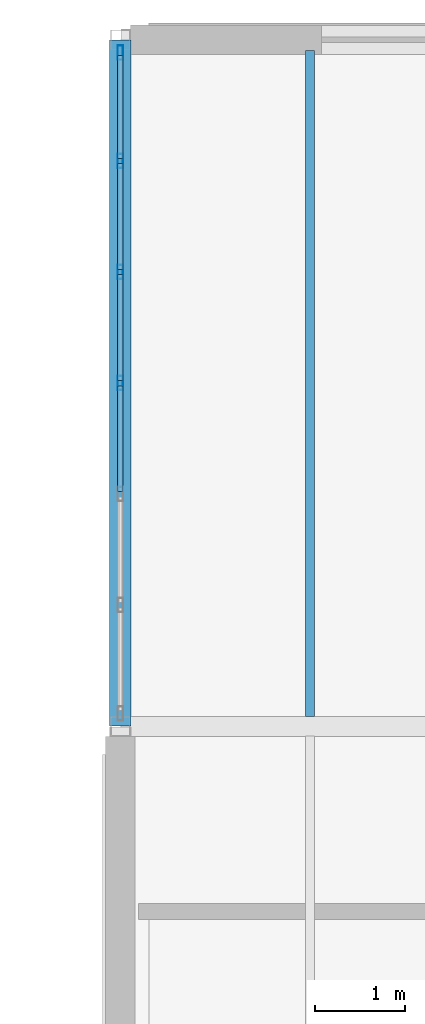
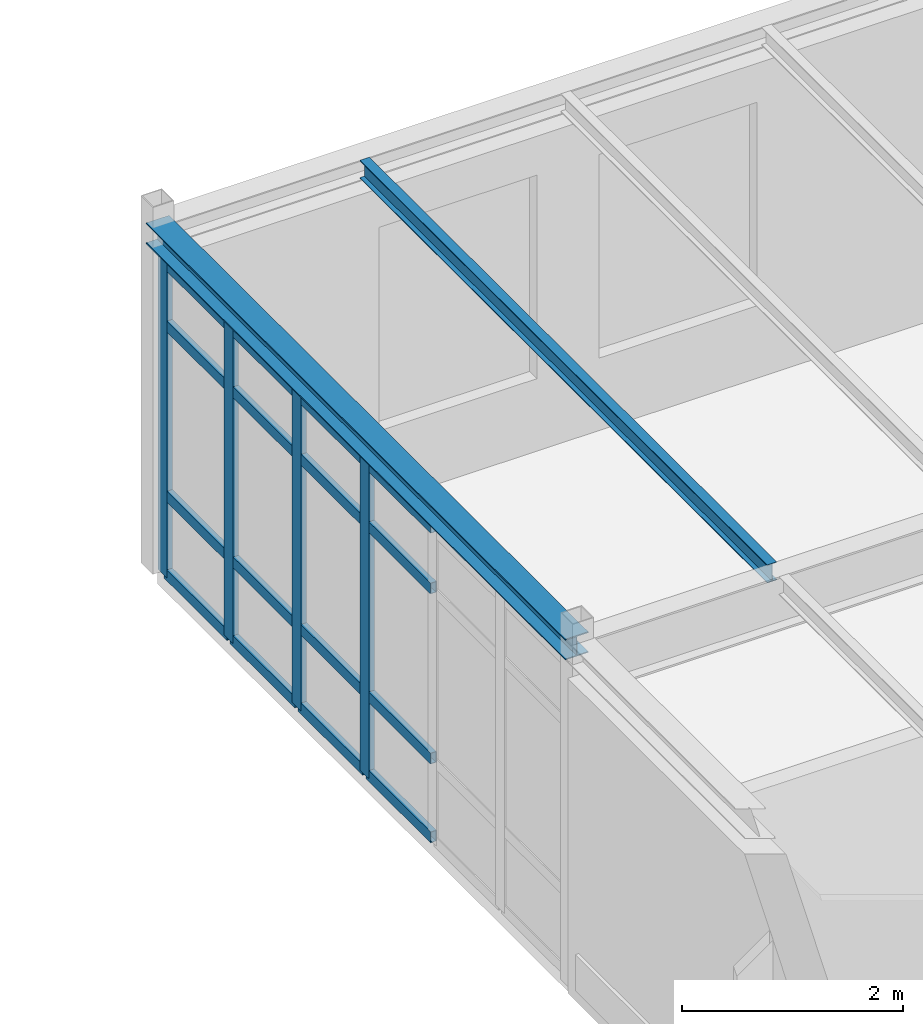
# One storey, part 44 of 114: 20 members, 2 beams, 1 element without a shape of its own.
"""IFC4 building model written with IfcOpenShell, lengths in metres."""

from ifc_helpers import new_model, si_unit, direction, frame, origin, origin_2d, place, context, subcontext, project, spatial, hollow_rectangle, i_section, extrude, material, layer, layer_set, material_profile, profile_set, type_object, element, aggregate, save


model = new_model("IFC4")

# Units and contexts
model_context = context("Model", 3, precision=1e-05, world=origin(), true_north=direction((0.0, 1.0)))
body_context = subcontext(model_context, "Body", "Model", "MODEL_VIEW")
ifc_project = project(units=[si_unit("LENGTHUNIT", "METRE"), si_unit("AREAUNIT", "SQUARE_METRE"), si_unit("VOLUMEUNIT", "CUBIC_METRE"), si_unit("PLANEANGLEUNIT", "RADIAN"), si_unit("MASSUNIT", "GRAM", prefix="KILO")], contexts=[model_context])

# Site, building, storey
site_placement = place(None, origin())
site = spatial("IfcSite", under=ifc_project, at=site_placement, CompositionType="ELEMENT")
building_placement = place(site_placement, origin())
building = spatial("IfcBuilding", under=site, at=building_placement, Name="Montecoro Central Library", CompositionType="ELEMENT")
storey_placement = place(building_placement, frame((0.0, 0.0, 13.260009765625)))
storey = spatial("IfcBuildingStorey", under=building, at=storey_placement, Name="L03", CompositionType="ELEMENT", Elevation=13.260009765625)

# Beams
ifc_material_1 = material(Name="Steel S355", Category="steel")
ifc_material_profile_1 = material_profile(ifc_material_1, i_section(OverallWidth=0.10009765625, OverallDepth=0.199951171875, WebThickness=0.005615234375, FlangeThickness=0.008544921875, at=origin_2d()), Name="IPE 200")
ifc_profile_set_1 = profile_set([ifc_material_profile_1], Name="Steel S355")
beam_type_1 = type_object("IfcBeamType", Name="BM-J-IPE200", PredefinedType="JOIST", material=ifc_profile_set_1)
beam_1_placement = place(storey_placement, frame((68.5, 111.507080078125, 3.72509765625), z_axis=(0.0, 1.0, 0.0), x_axis=(-1.0, 0.0, 0.0)))
element("IfcBeam", 1, at=beam_1_placement, inside=storey, type_object=beam_type_1, Name="V2-L03-JS-910-QR-1", PredefinedType="JOIST", context=body_context, shape_type="SweptSolid", body=[
    extrude(i_section(OverallWidth=0.10009765625, OverallDepth=0.199951171875, WebThickness=0.005615234375, FlangeThickness=0.008544921875, at=origin_2d()), origin(), (0.0, 0.0, 1.0), 7.3759765625),
])
ifc_material_profile_2 = material_profile(ifc_material_1, i_section(OverallWidth=0.239990234375, OverallDepth=0.22998046875, WebThickness=0.007568359375, FlangeThickness=0.011962890625, at=origin_2d()), Name="HEA 240")
ifc_profile_set_2 = profile_set([ifc_material_profile_2], Name="Steel S355")
beam_type_2 = type_object("IfcBeamType", Name="BM-SP-HEA240", PredefinedType="SPANDREL", material=ifc_profile_set_2)
beam_2_placement = place(storey_placement, frame((66.39990234375, 111.405029296875, 3.7099609375), z_axis=(0.0, 1.0, 0.0), x_axis=(-1.0, 0.0, 0.0)))
element("IfcBeam", 2, at=beam_2_placement, inside=storey, type_object=beam_type_2, Name="V2-L03-BY-9-QR", PredefinedType="SPANDREL", context=body_context, shape_type="SweptSolid", body=[
    extrude(i_section(OverallWidth=0.239990234375, OverallDepth=0.22998046875, WebThickness=0.007568359375, FlangeThickness=0.011962890625, at=origin_2d()), origin(), (0.0, 0.0, 1.0), 7.590087890625),
])

# Curtain wall, members
ifc_material_2 = material(Name="Bronze-anodised aluminium and low-E glazing", Category="aluminium")
ifc_layer = layer(ifc_material_2, 0.159912109375)
ifc_layer_set = layer_set([ifc_layer], Name="Bronze-anodised aluminium and low-E glazing")
curtain_wall_type = type_object("IfcCurtainWallType", Name="CWT-020", PredefinedType="NOTDEFINED", material=ifc_layer_set)
curtain_wall_placement = place(storey_placement, origin())
curtain_wall = element("IfcCurtainWall", 3, at=curtain_wall_placement, inside=storey, type_object=curtain_wall_type, Name="V2-L03-CW-W3", PredefinedType="NOTDEFINED")
ifc_material_3 = material(Name="Bronze-anodised aluminium", Category="aluminium")
ifc_material_profile_3 = material_profile(ifc_material_3, hollow_rectangle(XDim=0.06005859375, YDim=0.159912109375, WallThickness=0.00390625, at=origin_2d()), Name="CWM 160x60x4.0")
ifc_profile_set_3 = profile_set([ifc_material_profile_3], Name="Bronze-anodised aluminium")
member_type_1 = type_object("IfcMemberType", Name="CWM-BRZ-60", PredefinedType="MULLION", material=ifc_profile_set_3)
member_1_placement = place(storey_placement, frame((66.39990234375, 118.85693359375, 0.0), z_axis=(0.0, 0.0, 1.0), x_axis=(1.0, 0.0, 0.0)))
member_1 = element("IfcMember", 4, at=member_1_placement, type_object=member_type_1, Name="CW-020 mullion 1", PredefinedType="MULLION", context=body_context, shape_type="SweptSolid", body=[
    extrude(hollow_rectangle(XDim=0.06005859375, YDim=0.159912109375, WallThickness=0.00390625, at=origin_2d()), origin(), (0.0, 0.0, 1.0), 3.47998046875),
])
member_2_placement = place(storey_placement, frame((66.39990234375, 117.657958984375, 0.0), z_axis=(0.0, 0.0, 1.0), x_axis=(1.0, 0.0, 0.0)))
member_2 = element("IfcMember", 5, at=member_2_placement, type_object=member_type_1, Name="CW-020 mullion 2", PredefinedType="MULLION", context=body_context, shape_type="SweptSolid", body=[
    extrude(hollow_rectangle(XDim=0.06005859375, YDim=0.159912109375, WallThickness=0.00390625, at=origin_2d()), origin(), (0.0, 0.0, 1.0), 3.47998046875),
])
member_3_placement = place(storey_placement, frame((66.39990234375, 116.428955078125, 0.0), z_axis=(0.0, 0.0, 1.0), x_axis=(1.0, 0.0, 0.0)))
member_3 = element("IfcMember", 6, at=member_3_placement, type_object=member_type_1, Name="CW-020 mullion 3", PredefinedType="MULLION", context=body_context, shape_type="SweptSolid", body=[
    extrude(hollow_rectangle(XDim=0.06005859375, YDim=0.159912109375, WallThickness=0.00390625, at=origin_2d()), origin(), (0.0, 0.0, 1.0), 3.47998046875),
])
member_4_placement = place(storey_placement, frame((66.39990234375, 115.199951171875, 0.0), z_axis=(0.0, 0.0, 1.0), x_axis=(1.0, 0.0, 0.0)))
member_4 = element("IfcMember", 7, at=member_4_placement, type_object=member_type_1, Name="CW-020 mullion 4", PredefinedType="MULLION", context=body_context, shape_type="SweptSolid", body=[
    extrude(hollow_rectangle(XDim=0.06005859375, YDim=0.159912109375, WallThickness=0.00390625, at=origin_2d()), origin(), (0.0, 0.0, 1.0), 3.47998046875),
])
ifc_material_profile_4 = material_profile(ifc_material_3, hollow_rectangle(XDim=0.06005859375, YDim=0.1201171875, WallThickness=0.00390625, at=origin_2d()), Name="CWT 120x60x4.0")
ifc_profile_set_4 = profile_set([ifc_material_profile_4], Name="Bronze-anodised aluminium")
member_type_2 = type_object("IfcMemberType", Name="CWT-BRZ-60", PredefinedType="USERDEFINED", material=ifc_profile_set_4)
member_5_placement = place(storey_placement, frame((66.39990234375, 118.826904296875, 0.030029296875), z_axis=(0.0, -1.0, 0.0), x_axis=(1.0, 0.0, 0.0)))
member_5 = element("IfcMember", 8, at=member_5_placement, type_object=member_type_2, Name="CW-020 transom 1.1", ObjectType="TRANSOM", PredefinedType="USERDEFINED", context=body_context, shape_type="SweptSolid", body=[
    extrude(hollow_rectangle(XDim=0.06005859375, YDim=0.1201171875, WallThickness=0.00390625, at=origin_2d()), origin(), (0.0, 0.0, 1.0), 1.138916015625),
])
member_6_placement = place(storey_placement, frame((66.39990234375, 118.826904296875, 0.89990234375), z_axis=(0.0, -1.0, 0.0), x_axis=(1.0, 0.0, 0.0)))
member_6 = element("IfcMember", 9, at=member_6_placement, type_object=member_type_2, Name="CW-020 transom 1.2", ObjectType="TRANSOM", PredefinedType="USERDEFINED", context=body_context, shape_type="SweptSolid", body=[
    extrude(hollow_rectangle(XDim=0.06005859375, YDim=0.1201171875, WallThickness=0.00390625, at=origin_2d()), origin(), (0.0, 0.0, 1.0), 1.138916015625),
])
member_7_placement = place(storey_placement, frame((66.39990234375, 118.826904296875, 2.780029296875), z_axis=(0.0, -1.0, 0.0), x_axis=(1.0, 0.0, 0.0)))
member_7 = element("IfcMember", 10, at=member_7_placement, type_object=member_type_2, Name="CW-020 transom 1.3", ObjectType="TRANSOM", PredefinedType="USERDEFINED", context=body_context, shape_type="SweptSolid", body=[
    extrude(hollow_rectangle(XDim=0.06005859375, YDim=0.1201171875, WallThickness=0.00390625, at=origin_2d()), origin(), (0.0, 0.0, 1.0), 1.138916015625),
])
member_8_placement = place(storey_placement, frame((66.39990234375, 118.826904296875, 3.449951171875), z_axis=(0.0, -1.0, 0.0), x_axis=(1.0, 0.0, 0.0)))
member_8 = element("IfcMember", 11, at=member_8_placement, type_object=member_type_2, Name="CW-020 transom 1.4", ObjectType="TRANSOM", PredefinedType="USERDEFINED", context=body_context, shape_type="SweptSolid", body=[
    extrude(hollow_rectangle(XDim=0.06005859375, YDim=0.1201171875, WallThickness=0.00390625, at=origin_2d()), origin(), (0.0, 0.0, 1.0), 1.138916015625),
])
member_9_placement = place(storey_placement, frame((66.39990234375, 117.6279296875, 0.030029296875), z_axis=(0.0, -1.0, 0.0), x_axis=(1.0, 0.0, 0.0)))
member_9 = element("IfcMember", 12, at=member_9_placement, type_object=member_type_2, Name="CW-020 transom 2.1", ObjectType="TRANSOM", PredefinedType="USERDEFINED", context=body_context, shape_type="SweptSolid", body=[
    extrude(hollow_rectangle(XDim=0.06005859375, YDim=0.1201171875, WallThickness=0.00390625, at=origin_2d()), origin(), (0.0, 0.0, 1.0), 1.1689453125),
])
member_10_placement = place(storey_placement, frame((66.39990234375, 117.6279296875, 0.89990234375), z_axis=(0.0, -1.0, 0.0), x_axis=(1.0, 0.0, 0.0)))
member_10 = element("IfcMember", 13, at=member_10_placement, type_object=member_type_2, Name="CW-020 transom 2.2", ObjectType="TRANSOM", PredefinedType="USERDEFINED", context=body_context, shape_type="SweptSolid", body=[
    extrude(hollow_rectangle(XDim=0.06005859375, YDim=0.1201171875, WallThickness=0.00390625, at=origin_2d()), origin(), (0.0, 0.0, 1.0), 1.1689453125),
])
member_11_placement = place(storey_placement, frame((66.39990234375, 117.6279296875, 2.780029296875), z_axis=(0.0, -1.0, 0.0), x_axis=(1.0, 0.0, 0.0)))
member_11 = element("IfcMember", 14, at=member_11_placement, type_object=member_type_2, Name="CW-020 transom 2.3", ObjectType="TRANSOM", PredefinedType="USERDEFINED", context=body_context, shape_type="SweptSolid", body=[
    extrude(hollow_rectangle(XDim=0.06005859375, YDim=0.1201171875, WallThickness=0.00390625, at=origin_2d()), origin(), (0.0, 0.0, 1.0), 1.1689453125),
])
member_12_placement = place(storey_placement, frame((66.39990234375, 117.6279296875, 3.449951171875), z_axis=(0.0, -1.0, 0.0), x_axis=(1.0, 0.0, 0.0)))
member_12 = element("IfcMember", 15, at=member_12_placement, type_object=member_type_2, Name="CW-020 transom 2.4", ObjectType="TRANSOM", PredefinedType="USERDEFINED", context=body_context, shape_type="SweptSolid", body=[
    extrude(hollow_rectangle(XDim=0.06005859375, YDim=0.1201171875, WallThickness=0.00390625, at=origin_2d()), origin(), (0.0, 0.0, 1.0), 1.1689453125),
])
member_13_placement = place(storey_placement, frame((66.39990234375, 116.39892578125, 0.030029296875), z_axis=(0.0, -1.0, 0.0), x_axis=(1.0, 0.0, 0.0)))
member_13 = element("IfcMember", 16, at=member_13_placement, type_object=member_type_2, Name="CW-020 transom 3.1", ObjectType="TRANSOM", PredefinedType="USERDEFINED", context=body_context, shape_type="SweptSolid", body=[
    extrude(hollow_rectangle(XDim=0.06005859375, YDim=0.1201171875, WallThickness=0.00390625, at=origin_2d()), origin(), (0.0, 0.0, 1.0), 1.1689453125),
])
member_14_placement = place(storey_placement, frame((66.39990234375, 116.39892578125, 0.89990234375), z_axis=(0.0, -1.0, 0.0), x_axis=(1.0, 0.0, 0.0)))
member_14 = element("IfcMember", 17, at=member_14_placement, type_object=member_type_2, Name="CW-020 transom 3.2", ObjectType="TRANSOM", PredefinedType="USERDEFINED", context=body_context, shape_type="SweptSolid", body=[
    extrude(hollow_rectangle(XDim=0.06005859375, YDim=0.1201171875, WallThickness=0.00390625, at=origin_2d()), origin(), (0.0, 0.0, 1.0), 1.1689453125),
])
member_15_placement = place(storey_placement, frame((66.39990234375, 116.39892578125, 2.780029296875), z_axis=(0.0, -1.0, 0.0), x_axis=(1.0, 0.0, 0.0)))
member_15 = element("IfcMember", 18, at=member_15_placement, type_object=member_type_2, Name="CW-020 transom 3.3", ObjectType="TRANSOM", PredefinedType="USERDEFINED", context=body_context, shape_type="SweptSolid", body=[
    extrude(hollow_rectangle(XDim=0.06005859375, YDim=0.1201171875, WallThickness=0.00390625, at=origin_2d()), origin(), (0.0, 0.0, 1.0), 1.1689453125),
])
member_16_placement = place(storey_placement, frame((66.39990234375, 116.39892578125, 3.449951171875), z_axis=(0.0, -1.0, 0.0), x_axis=(1.0, 0.0, 0.0)))
member_16 = element("IfcMember", 19, at=member_16_placement, type_object=member_type_2, Name="CW-020 transom 3.4", ObjectType="TRANSOM", PredefinedType="USERDEFINED", context=body_context, shape_type="SweptSolid", body=[
    extrude(hollow_rectangle(XDim=0.06005859375, YDim=0.1201171875, WallThickness=0.00390625, at=origin_2d()), origin(), (0.0, 0.0, 1.0), 1.1689453125),
])
member_17_placement = place(storey_placement, frame((66.39990234375, 115.169921875, 0.030029296875), z_axis=(0.0, -1.0, 0.0), x_axis=(1.0, 0.0, 0.0)))
member_17 = element("IfcMember", 20, at=member_17_placement, type_object=member_type_2, Name="CW-020 transom 4.1", ObjectType="TRANSOM", PredefinedType="USERDEFINED", context=body_context, shape_type="SweptSolid", body=[
    extrude(hollow_rectangle(XDim=0.06005859375, YDim=0.1201171875, WallThickness=0.00390625, at=origin_2d()), origin(), (0.0, 0.0, 1.0), 1.1689453125),
])
member_18_placement = place(storey_placement, frame((66.39990234375, 115.169921875, 0.89990234375), z_axis=(0.0, -1.0, 0.0), x_axis=(1.0, 0.0, 0.0)))
member_18 = element("IfcMember", 21, at=member_18_placement, type_object=member_type_2, Name="CW-020 transom 4.2", ObjectType="TRANSOM", PredefinedType="USERDEFINED", context=body_context, shape_type="SweptSolid", body=[
    extrude(hollow_rectangle(XDim=0.06005859375, YDim=0.1201171875, WallThickness=0.00390625, at=origin_2d()), origin(), (0.0, 0.0, 1.0), 1.1689453125),
])
member_19_placement = place(storey_placement, frame((66.39990234375, 115.169921875, 2.780029296875), z_axis=(0.0, -1.0, 0.0), x_axis=(1.0, 0.0, 0.0)))
member_19 = element("IfcMember", 22, at=member_19_placement, type_object=member_type_2, Name="CW-020 transom 4.3", ObjectType="TRANSOM", PredefinedType="USERDEFINED", context=body_context, shape_type="SweptSolid", body=[
    extrude(hollow_rectangle(XDim=0.06005859375, YDim=0.1201171875, WallThickness=0.00390625, at=origin_2d()), origin(), (0.0, 0.0, 1.0), 1.1689453125),
])
member_20_placement = place(storey_placement, frame((66.39990234375, 115.169921875, 3.449951171875), z_axis=(0.0, -1.0, 0.0), x_axis=(1.0, 0.0, 0.0)))
member_20 = element("IfcMember", 23, at=member_20_placement, type_object=member_type_2, Name="CW-020 transom 4.4", ObjectType="TRANSOM", PredefinedType="USERDEFINED", context=body_context, shape_type="SweptSolid", body=[
    extrude(hollow_rectangle(XDim=0.06005859375, YDim=0.1201171875, WallThickness=0.00390625, at=origin_2d()), origin(), (0.0, 0.0, 1.0), 1.1689453125),
])
aggregate(curtain_wall, [member_1, member_2, member_3, member_4, member_5, member_6, member_7, member_8, member_9, member_10, member_11, member_12, member_13, member_14, member_15, member_16, member_17, member_18, member_19, member_20])

save(model, "model.ifc")
